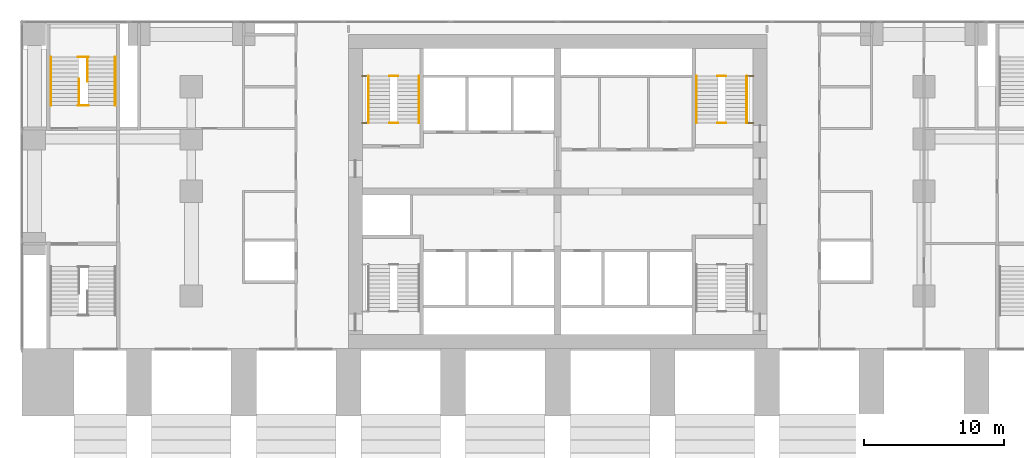
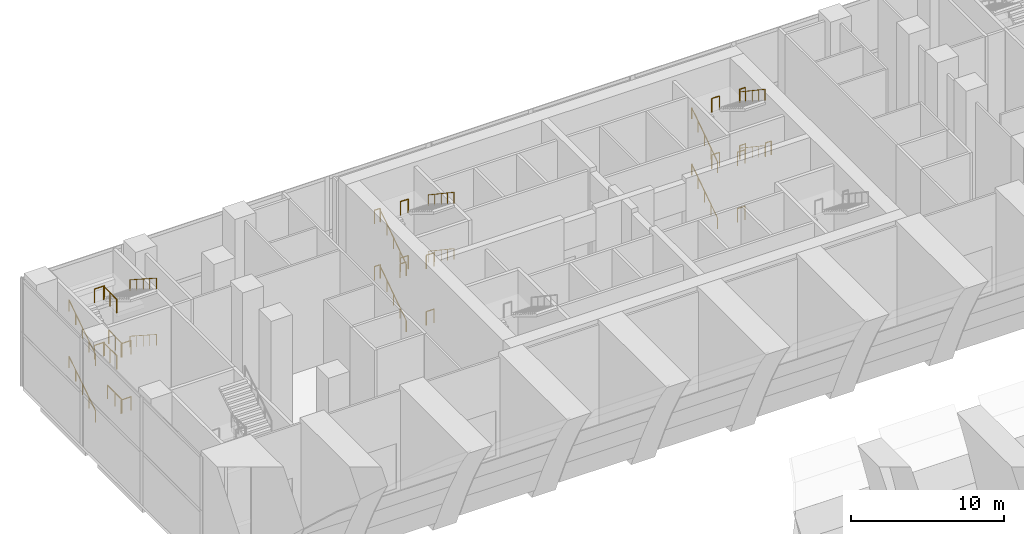
# One storey, part 13 of 14: 34 railings.
"""IFC4 building model written with IfcOpenShell, lengths in metres."""

from ifc_helpers import new_model, si_unit, direction, frame, origin, origin_2d, place, context, subcontext, project, spatial, circle, extrude, material, type_object, element, save


model = new_model("IFC4")

# Units and contexts
model_context = context("Model", 3, precision=1e-05, world=origin(), true_north=direction((0.0, 1.0)))
body_context = subcontext(model_context, "Body", "Model", "MODEL_VIEW")
ifc_project = project(units=[si_unit("LENGTHUNIT", "METRE"), si_unit("AREAUNIT", "SQUARE_METRE"), si_unit("VOLUMEUNIT", "CUBIC_METRE"), si_unit("PLANEANGLEUNIT", "RADIAN"), si_unit("MASSUNIT", "GRAM", prefix="KILO")], contexts=[model_context])

# Site, building, storey
site_placement = place(None, origin())
site = spatial("IfcSite", under=ifc_project, at=site_placement, CompositionType="ELEMENT")
building_placement = place(site_placement, origin())
building = spatial("IfcBuilding", under=site, at=building_placement, Name="Pilkhan Gate Tower", CompositionType="ELEMENT")
storey_placement = place(building_placement, frame((0.0, 0.0, 7.5)))
storey = spatial("IfcBuildingStorey", under=building, at=storey_placement, Name="L01", CompositionType="ELEMENT", Elevation=7.5)

# Railings
ifc_material_1 = material(Name="Black powder-coated steel tube", Category="steel")
railing_type_1 = type_object("IfcRailingType", Name="Stair handrail HR1", PredefinedType="HANDRAIL", material=ifc_material_1)
railing_1_placement = place(storey_placement, frame((61.449951171875, 87.39990234375, 0.0)))
element("IfcRailing", 1, at=railing_1_placement, inside=storey, type_object=railing_type_1, Name="Stair ST3 handrail L01", PredefinedType="HANDRAIL", context=body_context, shape_type="SweptSolid", body=[
    extrude(circle(Radius=0.02392578125, at=origin_2d()), frame((0.0, 0.0, 0.8759765625), z_axis=(0.0, 0.830915400975, 0.556398774641), x_axis=(-1.0, 0.0, 0.0)), (0.0, 0.0, 1.0), 4.0439453125),
    extrude(circle(Radius=0.02099609375, at=origin_2d()), origin(), (0.0, 0.0, 1.0), 0.851806640625),
    extrude(circle(Radius=0.02099609375, at=origin_2d()), frame((0.0, 0.840087890625, 0.5625)), (0.0, 0.0, 1.0), 0.851806640625),
    extrude(circle(Radius=0.02099609375, at=origin_2d()), frame((0.0, 1.68017578125, 1.125)), (0.0, 0.0, 1.0), 0.851806640625),
    extrude(circle(Radius=0.02099609375, at=origin_2d()), frame((0.0, 2.52001953125, 1.6875)), (0.0, 0.0, 1.0), 0.851806640625),
    extrude(circle(Radius=0.02099609375, at=origin_2d()), frame((0.0, 3.360107421875, 2.25)), (0.0, 0.0, 1.0), 0.851806640625),
])
railing_2_placement = place(storey_placement, frame((65.050048828125, 90.760009765625, 2.25)))
element("IfcRailing", 2, at=railing_2_placement, inside=storey, type_object=railing_type_1, Name="Stair ST3 handrail L01", PredefinedType="HANDRAIL", context=body_context, shape_type="SweptSolid", body=[
    extrude(circle(Radius=0.02392578125, at=origin_2d()), frame((0.0, 0.0, 0.8759765625), z_axis=(0.0, -0.830915400975, 0.556398774641), x_axis=(1.0, 0.0, 0.0)), (0.0, 0.0, 1.0), 4.0439453125),
    extrude(circle(Radius=0.02099609375, at=origin_2d()), origin(), (0.0, 0.0, 1.0), 0.851806640625),
    extrude(circle(Radius=0.02099609375, at=origin_2d()), frame((0.0, -0.840087890625, 0.5625)), (0.0, 0.0, 1.0), 0.851806640625),
    extrude(circle(Radius=0.02099609375, at=origin_2d()), frame((0.0, -1.68017578125, 1.125)), (0.0, 0.0, 1.0), 0.851806640625),
    extrude(circle(Radius=0.02099609375, at=origin_2d()), frame((0.0, -2.52001953125, 1.6875)), (0.0, 0.0, 1.0), 0.851806640625),
    extrude(circle(Radius=0.02099609375, at=origin_2d()), frame((0.0, -3.360107421875, 2.25)), (0.0, 0.0, 1.0), 0.851806640625),
])
railing_3_placement = place(storey_placement, frame((61.449951171875, 87.39990234375, 4.5)))
element("IfcRailing", 3, at=railing_3_placement, inside=storey, type_object=railing_type_1, Name="Stair ST3 handrail L01", PredefinedType="HANDRAIL", context=body_context, shape_type="SweptSolid", body=[
    extrude(circle(Radius=0.02392578125, at=origin_2d()), frame((0.0, 0.0, 0.8759765625), z_axis=(0.0, 0.830915400975, 0.556398774641), x_axis=(-1.0, 0.0, 0.0)), (0.0, 0.0, 1.0), 4.0439453125),
    extrude(circle(Radius=0.02099609375, at=origin_2d()), origin(), (0.0, 0.0, 1.0), 0.851806640625),
    extrude(circle(Radius=0.02099609375, at=origin_2d()), frame((0.0, 0.840087890625, 0.5625)), (0.0, 0.0, 1.0), 0.851806640625),
    extrude(circle(Radius=0.02099609375, at=origin_2d()), frame((0.0, 1.68017578125, 1.125)), (0.0, 0.0, 1.0), 0.851806640625),
    extrude(circle(Radius=0.02099609375, at=origin_2d()), frame((0.0, 2.52001953125, 1.6875)), (0.0, 0.0, 1.0), 0.851806640625),
    extrude(circle(Radius=0.02099609375, at=origin_2d()), frame((0.0, 3.360107421875, 2.25)), (0.0, 0.0, 1.0), 0.851806640625),
])
railing_4_placement = place(storey_placement, frame((65.050048828125, 90.760009765625, 6.75)))
element("IfcRailing", 4, at=railing_4_placement, inside=storey, type_object=railing_type_1, Name="Stair ST3 handrail L01", PredefinedType="HANDRAIL", context=body_context, shape_type="SweptSolid", body=[
    extrude(circle(Radius=0.02392578125, at=origin_2d()), frame((0.0, 0.0, 0.8759765625), z_axis=(0.0, -0.830915400975, 0.556398774641), x_axis=(1.0, 0.0, 0.0)), (0.0, 0.0, 1.0), 4.0439453125),
    extrude(circle(Radius=0.02099609375, at=origin_2d()), origin(), (0.0, 0.0, 1.0), 0.851806640625),
    extrude(circle(Radius=0.02099609375, at=origin_2d()), frame((0.0, -0.840087890625, 0.5625)), (0.0, 0.0, 1.0), 0.851806640625),
    extrude(circle(Radius=0.02099609375, at=origin_2d()), frame((0.0, -1.68017578125, 1.125)), (0.0, 0.0, 1.0), 0.851806640625),
    extrude(circle(Radius=0.02099609375, at=origin_2d()), frame((0.0, -2.52001953125, 1.6875)), (0.0, 0.0, 1.0), 0.851806640625),
    extrude(circle(Radius=0.02099609375, at=origin_2d()), frame((0.0, -3.360107421875, 2.25)), (0.0, 0.0, 1.0), 0.851806640625),
])
railing_5_placement = place(storey_placement, frame((84.949951171875, 87.39990234375, 0.0)))
element("IfcRailing", 5, at=railing_5_placement, inside=storey, type_object=railing_type_1, Name="Stair ST4 handrail L01", PredefinedType="HANDRAIL", context=body_context, shape_type="SweptSolid", body=[
    extrude(circle(Radius=0.02392578125, at=origin_2d()), frame((0.0, 0.0, 0.8759765625), z_axis=(0.0, 0.830915400975, 0.556398774641), x_axis=(-1.0, 0.0, 0.0)), (0.0, 0.0, 1.0), 4.0439453125),
    extrude(circle(Radius=0.02099609375, at=origin_2d()), origin(), (0.0, 0.0, 1.0), 0.851806640625),
    extrude(circle(Radius=0.02099609375, at=origin_2d()), frame((0.0, 0.840087890625, 0.5625)), (0.0, 0.0, 1.0), 0.851806640625),
    extrude(circle(Radius=0.02099609375, at=origin_2d()), frame((0.0, 1.68017578125, 1.125)), (0.0, 0.0, 1.0), 0.851806640625),
    extrude(circle(Radius=0.02099609375, at=origin_2d()), frame((0.0, 2.52001953125, 1.6875)), (0.0, 0.0, 1.0), 0.851806640625),
    extrude(circle(Radius=0.02099609375, at=origin_2d()), frame((0.0, 3.360107421875, 2.25)), (0.0, 0.0, 1.0), 0.851806640625),
])
railing_6_placement = place(storey_placement, frame((88.550048828125, 90.760009765625, 2.25)))
element("IfcRailing", 6, at=railing_6_placement, inside=storey, type_object=railing_type_1, Name="Stair ST4 handrail L01", PredefinedType="HANDRAIL", context=body_context, shape_type="SweptSolid", body=[
    extrude(circle(Radius=0.02392578125, at=origin_2d()), frame((0.0, 0.0, 0.8759765625), z_axis=(0.0, -0.830915400975, 0.556398774641), x_axis=(1.0, 0.0, 0.0)), (0.0, 0.0, 1.0), 4.0439453125),
    extrude(circle(Radius=0.02099609375, at=origin_2d()), origin(), (0.0, 0.0, 1.0), 0.851806640625),
    extrude(circle(Radius=0.02099609375, at=origin_2d()), frame((0.0, -0.840087890625, 0.5625)), (0.0, 0.0, 1.0), 0.851806640625),
    extrude(circle(Radius=0.02099609375, at=origin_2d()), frame((0.0, -1.68017578125, 1.125)), (0.0, 0.0, 1.0), 0.851806640625),
    extrude(circle(Radius=0.02099609375, at=origin_2d()), frame((0.0, -2.52001953125, 1.6875)), (0.0, 0.0, 1.0), 0.851806640625),
    extrude(circle(Radius=0.02099609375, at=origin_2d()), frame((0.0, -3.360107421875, 2.25)), (0.0, 0.0, 1.0), 0.851806640625),
])
railing_7_placement = place(storey_placement, frame((84.949951171875, 87.39990234375, 4.5)))
element("IfcRailing", 7, at=railing_7_placement, inside=storey, type_object=railing_type_1, Name="Stair ST4 handrail L01", PredefinedType="HANDRAIL", context=body_context, shape_type="SweptSolid", body=[
    extrude(circle(Radius=0.02392578125, at=origin_2d()), frame((0.0, 0.0, 0.8759765625), z_axis=(0.0, 0.830915400975, 0.556398774641), x_axis=(-1.0, 0.0, 0.0)), (0.0, 0.0, 1.0), 4.0439453125),
    extrude(circle(Radius=0.02099609375, at=origin_2d()), origin(), (0.0, 0.0, 1.0), 0.851806640625),
    extrude(circle(Radius=0.02099609375, at=origin_2d()), frame((0.0, 0.840087890625, 0.5625)), (0.0, 0.0, 1.0), 0.851806640625),
    extrude(circle(Radius=0.02099609375, at=origin_2d()), frame((0.0, 1.68017578125, 1.125)), (0.0, 0.0, 1.0), 0.851806640625),
    extrude(circle(Radius=0.02099609375, at=origin_2d()), frame((0.0, 2.52001953125, 1.6875)), (0.0, 0.0, 1.0), 0.851806640625),
    extrude(circle(Radius=0.02099609375, at=origin_2d()), frame((0.0, 3.360107421875, 2.25)), (0.0, 0.0, 1.0), 0.851806640625),
])
railing_8_placement = place(storey_placement, frame((88.550048828125, 90.760009765625, 6.75)))
element("IfcRailing", 8, at=railing_8_placement, inside=storey, type_object=railing_type_1, Name="Stair ST4 handrail L01", PredefinedType="HANDRAIL", context=body_context, shape_type="SweptSolid", body=[
    extrude(circle(Radius=0.02392578125, at=origin_2d()), frame((0.0, 0.0, 0.8759765625), z_axis=(0.0, -0.830915400975, 0.556398774641), x_axis=(1.0, 0.0, 0.0)), (0.0, 0.0, 1.0), 4.0439453125),
    extrude(circle(Radius=0.02099609375, at=origin_2d()), origin(), (0.0, 0.0, 1.0), 0.851806640625),
    extrude(circle(Radius=0.02099609375, at=origin_2d()), frame((0.0, -0.840087890625, 0.5625)), (0.0, 0.0, 1.0), 0.851806640625),
    extrude(circle(Radius=0.02099609375, at=origin_2d()), frame((0.0, -1.68017578125, 1.125)), (0.0, 0.0, 1.0), 0.851806640625),
    extrude(circle(Radius=0.02099609375, at=origin_2d()), frame((0.0, -2.52001953125, 1.6875)), (0.0, 0.0, 1.0), 0.851806640625),
    extrude(circle(Radius=0.02099609375, at=origin_2d()), frame((0.0, -3.360107421875, 2.25)), (0.0, 0.0, 1.0), 0.851806640625),
])
railing_9_placement = place(storey_placement, frame((38.699951171875, 88.64990234375, 0.0)))
element("IfcRailing", 9, at=railing_9_placement, inside=storey, type_object=railing_type_1, Name="Stair PS1 handrail L01", PredefinedType="HANDRAIL", context=body_context, shape_type="SweptSolid", body=[
    extrude(circle(Radius=0.02392578125, at=origin_2d()), frame((0.0, 0.0, 0.8759765625), z_axis=(0.0, 0.839762940478, 0.542953224319), x_axis=(-1.0, 0.0, 0.0)), (0.0, 0.0, 1.0), 4.14404296875),
    extrude(circle(Radius=0.02099609375, at=origin_2d()), origin(), (0.0, 0.0, 1.0), 0.851806640625),
    extrude(circle(Radius=0.02099609375, at=origin_2d()), frame((0.0, 0.8701171875, 0.5625)), (0.0, 0.0, 1.0), 0.851806640625),
    extrude(circle(Radius=0.02099609375, at=origin_2d()), frame((0.0, 1.739990234375, 1.125)), (0.0, 0.0, 1.0), 0.851806640625),
    extrude(circle(Radius=0.02099609375, at=origin_2d()), frame((0.0, 2.60986328125, 1.6875)), (0.0, 0.0, 1.0), 0.851806640625),
    extrude(circle(Radius=0.02099609375, at=origin_2d()), frame((0.0, 3.47998046875, 2.25)), (0.0, 0.0, 1.0), 0.851806640625),
])
railing_10_placement = place(storey_placement, frame((43.300048828125, 92.1298828125, 2.25)))
element("IfcRailing", 10, at=railing_10_placement, inside=storey, type_object=railing_type_1, Name="Stair PS1 handrail L01", PredefinedType="HANDRAIL", context=body_context, shape_type="SweptSolid", body=[
    extrude(circle(Radius=0.02392578125, at=origin_2d()), frame((0.0, 0.0, 0.8759765625), z_axis=(0.0, -0.839762940478, 0.542953224319), x_axis=(1.0, 0.0, 0.0)), (0.0, 0.0, 1.0), 4.14404296875),
    extrude(circle(Radius=0.02099609375, at=origin_2d()), origin(), (0.0, 0.0, 1.0), 0.851806640625),
    extrude(circle(Radius=0.02099609375, at=origin_2d()), frame((0.0, -0.8701171875, 0.5625)), (0.0, 0.0, 1.0), 0.851806640625),
    extrude(circle(Radius=0.02099609375, at=origin_2d()), frame((0.0, -1.739990234375, 1.125)), (0.0, 0.0, 1.0), 0.851806640625),
    extrude(circle(Radius=0.02099609375, at=origin_2d()), frame((0.0, -2.60986328125, 1.6875)), (0.0, 0.0, 1.0), 0.851806640625),
    extrude(circle(Radius=0.02099609375, at=origin_2d()), frame((0.0, -3.47998046875, 2.25)), (0.0, 0.0, 1.0), 0.851806640625),
])
railing_11_placement = place(storey_placement, frame((38.699951171875, 88.64990234375, 4.5)))
element("IfcRailing", 11, at=railing_11_placement, inside=storey, type_object=railing_type_1, Name="Stair PS1 handrail L01", PredefinedType="HANDRAIL", context=body_context, shape_type="SweptSolid", body=[
    extrude(circle(Radius=0.02392578125, at=origin_2d()), frame((0.0, 0.0, 0.8759765625), z_axis=(0.0, 0.839762940478, 0.542953224319), x_axis=(-1.0, 0.0, 0.0)), (0.0, 0.0, 1.0), 4.14404296875),
    extrude(circle(Radius=0.02099609375, at=origin_2d()), origin(), (0.0, 0.0, 1.0), 0.851806640625),
    extrude(circle(Radius=0.02099609375, at=origin_2d()), frame((0.0, 0.8701171875, 0.5625)), (0.0, 0.0, 1.0), 0.851806640625),
    extrude(circle(Radius=0.02099609375, at=origin_2d()), frame((0.0, 1.739990234375, 1.125)), (0.0, 0.0, 1.0), 0.851806640625),
    extrude(circle(Radius=0.02099609375, at=origin_2d()), frame((0.0, 2.60986328125, 1.6875)), (0.0, 0.0, 1.0), 0.851806640625),
    extrude(circle(Radius=0.02099609375, at=origin_2d()), frame((0.0, 3.47998046875, 2.25)), (0.0, 0.0, 1.0), 0.851806640625),
])
railing_12_placement = place(storey_placement, frame((43.300048828125, 92.1298828125, 6.75)))
element("IfcRailing", 12, at=railing_12_placement, inside=storey, type_object=railing_type_1, Name="Stair PS1 handrail L01", PredefinedType="HANDRAIL", context=body_context, shape_type="SweptSolid", body=[
    extrude(circle(Radius=0.02392578125, at=origin_2d()), frame((0.0, 0.0, 0.8759765625), z_axis=(0.0, -0.839762940478, 0.542953224319), x_axis=(1.0, 0.0, 0.0)), (0.0, 0.0, 1.0), 4.14404296875),
    extrude(circle(Radius=0.02099609375, at=origin_2d()), origin(), (0.0, 0.0, 1.0), 0.851806640625),
    extrude(circle(Radius=0.02099609375, at=origin_2d()), frame((0.0, -0.8701171875, 0.5625)), (0.0, 0.0, 1.0), 0.851806640625),
    extrude(circle(Radius=0.02099609375, at=origin_2d()), frame((0.0, -1.739990234375, 1.125)), (0.0, 0.0, 1.0), 0.851806640625),
    extrude(circle(Radius=0.02099609375, at=origin_2d()), frame((0.0, -2.60986328125, 1.6875)), (0.0, 0.0, 1.0), 0.851806640625),
    extrude(circle(Radius=0.02099609375, at=origin_2d()), frame((0.0, -3.47998046875, 2.25)), (0.0, 0.0, 1.0), 0.851806640625),
])
ifc_material_2 = material(Name="Black powder-coated steel balusters", Category="steel")
railing_type_2 = type_object("IfcRailingType", Name="Stair well guard G3", PredefinedType="GUARDRAIL", material=ifc_material_2)
for number, where, name in (
    (13, (60.97998046875, 90.760009765625, 2.25), "Stair ST3 well guard L01"),
    (14, (60.97998046875, 87.39990234375, 4.5), "Stair ST3 well guard L01"),
    (15, (60.97998046875, 90.760009765625, 6.75), "Stair ST3 well guard L01"),
):
    element("IfcRailing", number, at=place(storey_placement, frame(where)), inside=storey, type_object=railing_type_2, Name=name, PredefinedType="GUARDRAIL", context=body_context, shape_type="SweptSolid", body=[
        extrude(circle(Radius=0.02392578125, at=origin_2d()), frame((0.0, 0.0, 1.076171875), z_axis=(1.0, 0.0, 0.0), x_axis=(0.0, 1.0, 0.0)), (0.0, 0.0, 1.0), 0.43994140625),
        extrude(circle(Radius=0.02099609375, at=origin_2d()), origin(), (0.0, 0.0, 1.0), 1.052001953125),
        extrude(circle(Radius=0.02099609375, at=origin_2d()), frame((0.43994140625, 0.0, 0.0)), (0.0, 0.0, 1.0), 1.052001953125),
    ])
for number, where, name in (
    (16, (62.9599609375, 87.39990234375, 0.0), "Stair ST3 well guard L01"),
    (17, (62.9599609375, 90.760009765625, 2.25), "Stair ST3 well guard L01"),
    (18, (62.9599609375, 87.39990234375, 4.5), "Stair ST3 well guard L01"),
    (19, (62.9599609375, 90.760009765625, 6.75), "Stair ST3 well guard L01"),
):
    element("IfcRailing", number, at=place(storey_placement, frame(where)), inside=storey, type_object=railing_type_2, Name=name, PredefinedType="GUARDRAIL", context=body_context, shape_type="SweptSolid", body=[
        extrude(circle(Radius=0.02392578125, at=origin_2d()), frame((0.0, 0.0, 1.076171875), z_axis=(1.0, 0.0, 0.0), x_axis=(0.0, 1.0, 0.0)), (0.0, 0.0, 1.0), 0.580078125),
        extrude(circle(Radius=0.02099609375, at=origin_2d()), origin(), (0.0, 0.0, 1.0), 1.052001953125),
        extrude(circle(Radius=0.02099609375, at=origin_2d()), frame((0.580078125, 0.0, 0.0)), (0.0, 0.0, 1.0), 1.052001953125),
    ])
for number, where, name in (
    (20, (88.580078125, 90.760009765625, 2.25), "Stair ST4 well guard L01"),
    (21, (88.580078125, 87.39990234375, 4.5), "Stair ST4 well guard L01"),
    (22, (88.580078125, 90.760009765625, 6.75), "Stair ST4 well guard L01"),
):
    element("IfcRailing", number, at=place(storey_placement, frame(where)), inside=storey, type_object=railing_type_2, Name=name, PredefinedType="GUARDRAIL", context=body_context, shape_type="SweptSolid", body=[
        extrude(circle(Radius=0.02392578125, at=origin_2d()), frame((0.0, 0.0, 1.076171875), z_axis=(1.0, 0.0, 0.0), x_axis=(0.0, 1.0, 0.0)), (0.0, 0.0, 1.0), 0.43994140625),
        extrude(circle(Radius=0.02099609375, at=origin_2d()), origin(), (0.0, 0.0, 1.0), 1.052001953125),
        extrude(circle(Radius=0.02099609375, at=origin_2d()), frame((0.43994140625, 0.0, 0.0)), (0.0, 0.0, 1.0), 1.052001953125),
    ])
for number, where, name in (
    (23, (86.4599609375, 87.39990234375, 0.0), "Stair ST4 well guard L01"),
    (24, (86.4599609375, 90.760009765625, 2.25), "Stair ST4 well guard L01"),
    (25, (86.4599609375, 87.39990234375, 4.5), "Stair ST4 well guard L01"),
    (26, (86.4599609375, 90.760009765625, 6.75), "Stair ST4 well guard L01"),
):
    element("IfcRailing", number, at=place(storey_placement, frame(where)), inside=storey, type_object=railing_type_2, Name=name, PredefinedType="GUARDRAIL", context=body_context, shape_type="SweptSolid", body=[
        extrude(circle(Radius=0.02392578125, at=origin_2d()), frame((0.0, 0.0, 1.076171875), z_axis=(1.0, 0.0, 0.0), x_axis=(0.0, 1.0, 0.0)), (0.0, 0.0, 1.0), 0.580078125),
        extrude(circle(Radius=0.02099609375, at=origin_2d()), origin(), (0.0, 0.0, 1.0), 1.052001953125),
        extrude(circle(Radius=0.02099609375, at=origin_2d()), frame((0.580078125, 0.0, 0.0)), (0.0, 0.0, 1.0), 1.052001953125),
    ])
railing_13_placement = place(storey_placement, frame((40.6298828125, 88.64990234375, 0.0)))
element("IfcRailing", 27, at=railing_13_placement, inside=storey, type_object=railing_type_2, Name="Stair PS1 well guard L01", PredefinedType="GUARDRAIL", context=body_context, shape_type="SweptSolid", body=[
    extrude(circle(Radius=0.02392578125, at=origin_2d()), frame((0.0, 0.0, 1.076171875), z_axis=(1.0, 0.0, 0.0), x_axis=(0.0, 1.0, 0.0)), (0.0, 0.0, 1.0), 0.740234375),
    extrude(circle(Radius=0.02099609375, at=origin_2d()), origin(), (0.0, 0.0, 1.0), 1.052001953125),
    extrude(circle(Radius=0.02099609375, at=origin_2d()), frame((0.740234375, 0.0, 0.0)), (0.0, 0.0, 1.0), 1.052001953125),
])
railing_14_placement = place(storey_placement, frame((40.699951171875, 88.64990234375, 0.0)))
element("IfcRailing", 28, at=railing_14_placement, inside=storey, type_object=railing_type_2, Name="Stair PS1 well guard L01", PredefinedType="GUARDRAIL", context=body_context, shape_type="SweptSolid", body=[
    extrude(circle(Radius=0.02392578125, at=origin_2d()), frame((0.0, 0.0, 1.076171875), z_axis=(0.0, 1.0, 0.0), x_axis=(-1.0, 0.0, 0.0)), (0.0, 0.0, 1.0), 1.900146484375),
    extrude(circle(Radius=0.02099609375, at=origin_2d()), origin(), (0.0, 0.0, 1.0), 1.052001953125),
    extrude(circle(Radius=0.02099609375, at=origin_2d()), frame((0.0, 0.9501953125, 0.0)), (0.0, 0.0, 1.0), 1.052001953125),
    extrude(circle(Radius=0.02099609375, at=origin_2d()), frame((0.0, 1.900146484375, 0.0)), (0.0, 0.0, 1.0), 1.052001953125),
])
railing_15_placement = place(storey_placement, frame((40.6298828125, 92.1298828125, 2.25)))
element("IfcRailing", 29, at=railing_15_placement, inside=storey, type_object=railing_type_2, Name="Stair PS1 well guard L01", PredefinedType="GUARDRAIL", context=body_context, shape_type="SweptSolid", body=[
    extrude(circle(Radius=0.02392578125, at=origin_2d()), frame((0.0, 0.0, 1.076171875), z_axis=(1.0, 0.0, 0.0), x_axis=(0.0, 1.0, 0.0)), (0.0, 0.0, 1.0), 0.740234375),
    extrude(circle(Radius=0.02099609375, at=origin_2d()), origin(), (0.0, 0.0, 1.0), 1.052001953125),
    extrude(circle(Radius=0.02099609375, at=origin_2d()), frame((0.740234375, 0.0, 0.0)), (0.0, 0.0, 1.0), 1.052001953125),
])
railing_16_placement = place(storey_placement, frame((41.300048828125, 90.389892578125, 2.25)))
element("IfcRailing", 30, at=railing_16_placement, inside=storey, type_object=railing_type_2, Name="Stair PS1 well guard L01", PredefinedType="GUARDRAIL", context=body_context, shape_type="SweptSolid", body=[
    extrude(circle(Radius=0.02392578125, at=origin_2d()), frame((0.0, 0.0, 1.076171875), z_axis=(0.0, 1.0, 0.0), x_axis=(-1.0, 0.0, 0.0)), (0.0, 0.0, 1.0), 1.739990234375),
    extrude(circle(Radius=0.02099609375, at=origin_2d()), origin(), (0.0, 0.0, 1.0), 1.052001953125),
    extrude(circle(Radius=0.02099609375, at=origin_2d()), frame((0.0, 0.8701171875, 0.0)), (0.0, 0.0, 1.0), 1.052001953125),
    extrude(circle(Radius=0.02099609375, at=origin_2d()), frame((0.0, 1.739990234375, 0.0)), (0.0, 0.0, 1.0), 1.052001953125),
])
railing_17_placement = place(storey_placement, frame((40.6298828125, 88.64990234375, 4.5)))
element("IfcRailing", 31, at=railing_17_placement, inside=storey, type_object=railing_type_2, Name="Stair PS1 well guard L01", PredefinedType="GUARDRAIL", context=body_context, shape_type="SweptSolid", body=[
    extrude(circle(Radius=0.02392578125, at=origin_2d()), frame((0.0, 0.0, 1.076171875), z_axis=(1.0, 0.0, 0.0), x_axis=(0.0, 1.0, 0.0)), (0.0, 0.0, 1.0), 0.740234375),
    extrude(circle(Radius=0.02099609375, at=origin_2d()), origin(), (0.0, 0.0, 1.0), 1.052001953125),
    extrude(circle(Radius=0.02099609375, at=origin_2d()), frame((0.740234375, 0.0, 0.0)), (0.0, 0.0, 1.0), 1.052001953125),
])
railing_18_placement = place(storey_placement, frame((40.699951171875, 88.64990234375, 4.5)))
element("IfcRailing", 32, at=railing_18_placement, inside=storey, type_object=railing_type_2, Name="Stair PS1 well guard L01", PredefinedType="GUARDRAIL", context=body_context, shape_type="SweptSolid", body=[
    extrude(circle(Radius=0.02392578125, at=origin_2d()), frame((0.0, 0.0, 1.076171875), z_axis=(0.0, 1.0, 0.0), x_axis=(-1.0, 0.0, 0.0)), (0.0, 0.0, 1.0), 1.739990234375),
    extrude(circle(Radius=0.02099609375, at=origin_2d()), origin(), (0.0, 0.0, 1.0), 1.052001953125),
    extrude(circle(Radius=0.02099609375, at=origin_2d()), frame((0.0, 0.8701171875, 0.0)), (0.0, 0.0, 1.0), 1.052001953125),
    extrude(circle(Radius=0.02099609375, at=origin_2d()), frame((0.0, 1.739990234375, 0.0)), (0.0, 0.0, 1.0), 1.052001953125),
])
railing_19_placement = place(storey_placement, frame((40.6298828125, 92.1298828125, 6.75)))
element("IfcRailing", 33, at=railing_19_placement, inside=storey, type_object=railing_type_2, Name="Stair PS1 well guard L01", PredefinedType="GUARDRAIL", context=body_context, shape_type="SweptSolid", body=[
    extrude(circle(Radius=0.02392578125, at=origin_2d()), frame((0.0, 0.0, 1.076171875), z_axis=(1.0, 0.0, 0.0), x_axis=(0.0, 1.0, 0.0)), (0.0, 0.0, 1.0), 0.740234375),
    extrude(circle(Radius=0.02099609375, at=origin_2d()), origin(), (0.0, 0.0, 1.0), 1.052001953125),
    extrude(circle(Radius=0.02099609375, at=origin_2d()), frame((0.740234375, 0.0, 0.0)), (0.0, 0.0, 1.0), 1.052001953125),
])
railing_20_placement = place(storey_placement, frame((41.300048828125, 90.389892578125, 6.75)))
element("IfcRailing", 34, at=railing_20_placement, inside=storey, type_object=railing_type_2, Name="Stair PS1 well guard L01", PredefinedType="GUARDRAIL", context=body_context, shape_type="SweptSolid", body=[
    extrude(circle(Radius=0.02392578125, at=origin_2d()), frame((0.0, 0.0, 1.076171875), z_axis=(0.0, 1.0, 0.0), x_axis=(-1.0, 0.0, 0.0)), (0.0, 0.0, 1.0), 1.739990234375),
    extrude(circle(Radius=0.02099609375, at=origin_2d()), origin(), (0.0, 0.0, 1.0), 1.052001953125),
    extrude(circle(Radius=0.02099609375, at=origin_2d()), frame((0.0, 0.8701171875, 0.0)), (0.0, 0.0, 1.0), 1.052001953125),
    extrude(circle(Radius=0.02099609375, at=origin_2d()), frame((0.0, 1.739990234375, 0.0)), (0.0, 0.0, 1.0), 1.052001953125),
])

save(model, "model.ifc")
